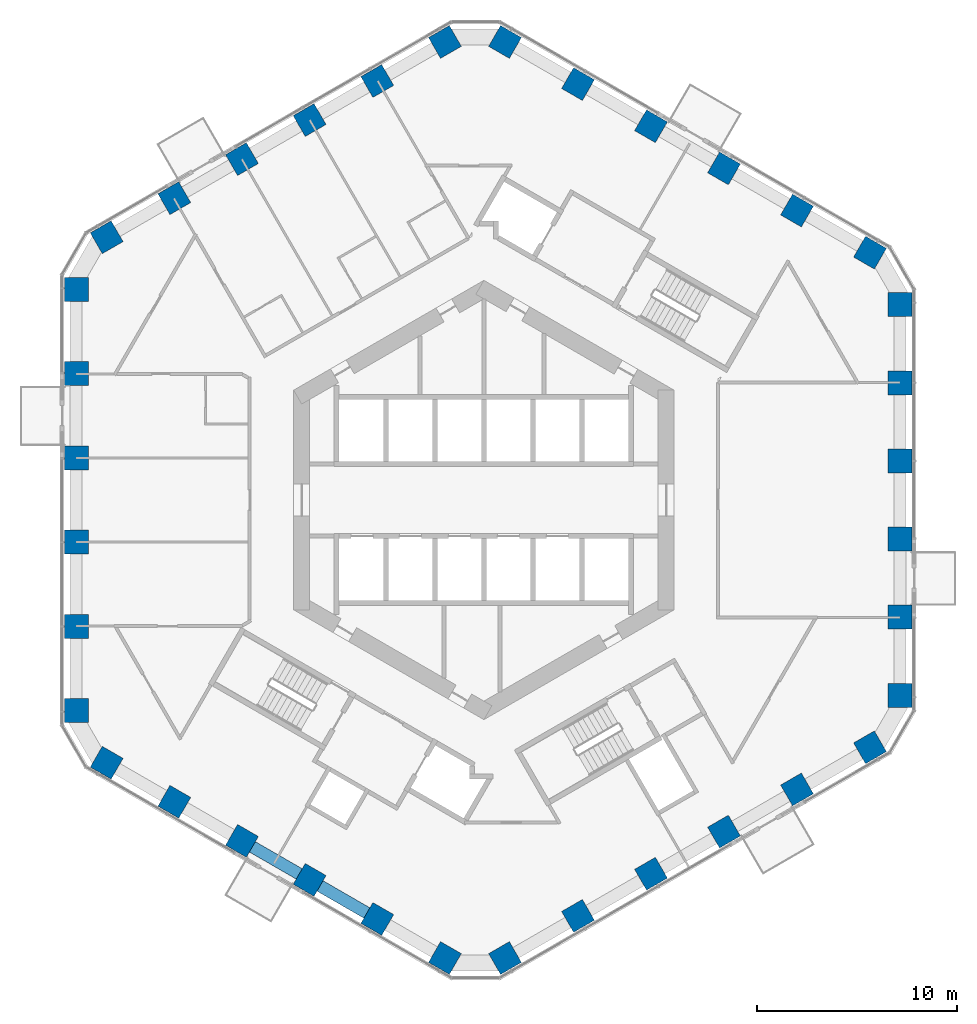
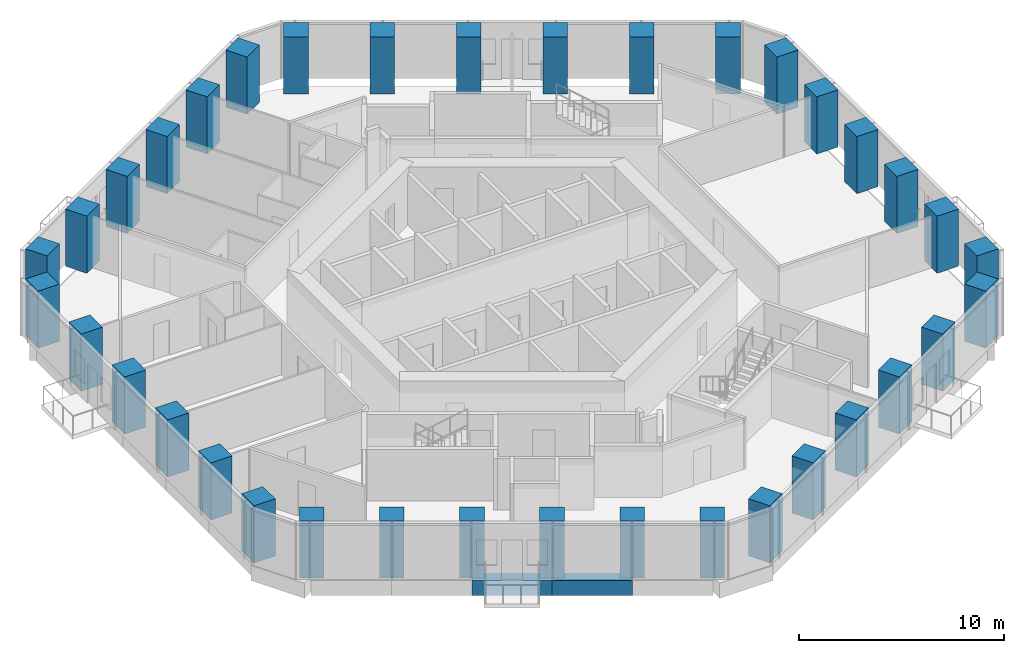
# One storey, part 1 of 20: 36 columns, 2 beams.
"""IFC4 building model written with IfcOpenShell, lengths in metres."""

import ifcopenshell
import ifcopenshell.guid

model = None  # the IFC model being written
_history = None  # IfcOwnerHistory: only IFC2X3 demands one
_inside = {}  # id of a spatial element -> (the spatial element, [elements in it])
_under = {}  # id of a project, library or spatial element -> (it, [spatial elements below it])
_declared = {}  # id of a project -> (the project, [libraries it declares])
_typed = {}  # id of a type object -> (the type object, [elements of that type])
_made_of = {}  # id of a material, layer set ... -> (it, [elements and type objects made of it])


def new_model(schema):
    """Start an empty IFC model of exactly this schema.

    Asked for "IFC4X3", IfcOpenShell would pick the latest addendum, in which some entities
    have other attributes; the version numbers below select the first issue.
    IFC2X3 requires an IfcOwnerHistory on every rooted entity: one is made here for all.
    """
    global model, _history
    if schema == "IFC4X3":
        model = ifcopenshell.file(schema_version=(4, 3, 0, 0))
    else:
        model = ifcopenshell.file(schema=schema)
    _inside.clear()
    _under.clear()
    _declared.clear()
    _typed.clear()
    _made_of.clear()
    _history = None
    if model.schema == "IFC2X3":
        org = make("IfcOrganization", Name="unknown")
        user = make(
            "IfcPersonAndOrganization",
            ThePerson=make("IfcPerson", FamilyName="unknown"),
            TheOrganization=org,
        )
        app = make(
            "IfcApplication",
            ApplicationDeveloper=org,
            Version="unknown",
            ApplicationFullName="unknown",
            ApplicationIdentifier="unknown",
        )
        _history = make(
            "IfcOwnerHistory",
            OwningUser=user,
            OwningApplication=app,
            ChangeAction="ADDED",
            CreationDate=0,
        )
    return model


def make(cls, **values):
    """One entity of the class cls with the attributes given. An attribute that is None is left unset."""
    return model.create_entity(
        cls, **{name: value for name, value in values.items() if value is not None}
    )


def rooted(cls, **values):
    """An entity with a GlobalId (a new one), such as an element, a storey or a relation."""
    return make(cls, GlobalId=ifcopenshell.guid.new(), OwnerHistory=_history, **values)


def si_unit(unit_type, name, prefix=None):
    """IfcSIUnit, for example si_unit("LENGTHUNIT", "METRE", prefix="MILLI")."""
    return make("IfcSIUnit", UnitType=unit_type, Prefix=prefix, Name=name)


def assignment(units):
    """IfcUnitAssignment: the units of a project."""
    return None if units is None else make("IfcUnitAssignment", Units=units)


def point(xyz):
    """IfcCartesianPoint."""
    return None if xyz is None else make("IfcCartesianPoint", Coordinates=xyz)


def direction(xyz):
    """IfcDirection."""
    return None if xyz is None else make("IfcDirection", DirectionRatios=xyz)


def frame(location, z_axis=None, x_axis=None):
    """IfcAxis2Placement3D, a coordinate frame: its origin and axes. An axis left out is left unset."""
    return make(
        "IfcAxis2Placement3D",
        Location=point(location),
        Axis=direction(z_axis),
        RefDirection=direction(x_axis),
    )


def frame_2d(location, x_axis=None):
    """IfcAxis2Placement2D, a coordinate frame in the plane: its origin and x axis."""
    return make(
        "IfcAxis2Placement2D", Location=point(location), RefDirection=direction(x_axis)
    )


def origin():
    """The frame at (0, 0, 0) with its axes left unset."""
    return frame((0.0, 0.0, 0.0))


def origin_2d():
    """The frame at (0, 0) in the plane with its x axis left unset."""
    return frame_2d((0.0, 0.0))


def place(relative_to, where):
    """IfcLocalPlacement: puts the frame where relative to a parent placement (None: the world)."""
    return make(
        "IfcLocalPlacement", PlacementRelTo=relative_to, RelativePlacement=where
    )


def context(
    kind, dimensions, precision=None, world=None, true_north=None, identifier=None
):
    """IfcGeometricRepresentationContext, for example the 3D "Model" context."""
    return make(
        "IfcGeometricRepresentationContext",
        ContextIdentifier=identifier,
        ContextType=kind,
        CoordinateSpaceDimension=dimensions,
        Precision=precision,
        WorldCoordinateSystem=world,
        TrueNorth=true_north,
    )


def subcontext(parent, identifier, kind, view, scale=None):
    """IfcGeometricRepresentationSubContext, for example "Body" below "Model"."""
    return make(
        "IfcGeometricRepresentationSubContext",
        ContextIdentifier=identifier,
        ContextType=kind,
        ParentContext=parent,
        TargetScale=scale,
        TargetView=view,
    )


def project(units=None, contexts=None):
    """IfcProject with its units and contexts."""
    return rooted(
        "IfcProject",
        Name="project",
        RepresentationContexts=contexts,
        UnitsInContext=assignment(units),
    )


def spatial(cls, under=None, at=None, **own):
    """A site, building, storey or space (cls), placed at a placement, below another one or the project."""
    s = rooted(cls, ObjectPlacement=at, **own)
    if under is not None:
        _under.setdefault(under.id(), (under, []))[1].append(s)
    return s


def profile(cls, at=None, kind="AREA", **sizes):
    """A parametric profile (cls). Its sizes go by their IFC names, for example OverallWidth=200.0."""
    return make(cls, ProfileType=kind, Position=at, **sizes)


def rectangle(**sizes):
    """IfcRectangleProfileDef."""
    return profile("IfcRectangleProfileDef", **sizes)


def extrude(swept, where, along, depth):
    """IfcExtrudedAreaSolid: the profile swept, set in the frame where, extruded along a direction by depth."""
    return make(
        "IfcExtrudedAreaSolid",
        SweptArea=swept,
        Position=where,
        ExtrudedDirection=direction(along),
        Depth=depth,
    )


def shape(context_of_items, identifier, shape_type, items):
    """IfcShapeRepresentation: the items that make up one representation, for example the "Body"."""
    return make(
        "IfcShapeRepresentation",
        ContextOfItems=context_of_items,
        RepresentationIdentifier=identifier,
        RepresentationType=shape_type,
        Items=items,
    )


def material(Name=None, Category=None):
    """IfcMaterial."""
    return make("IfcMaterial", Name=Name, Category=Category)


def material_profile(
    of_material, cross_section, Name=None, Category=None, Priority=None
):
    """IfcMaterialProfile: a cross section and its material."""
    return make(
        "IfcMaterialProfile",
        Name=Name,
        Material=of_material,
        Profile=cross_section,
        Priority=Priority,
        Category=Category,
    )


def profile_set(profiles, Name=None, composite=None):
    """IfcMaterialProfileSet."""
    return make(
        "IfcMaterialProfileSet",
        Name=Name,
        MaterialProfiles=profiles,
        CompositeProfile=composite,
    )


def made_of(thing, what):
    """Note that an element or type object is made of a material, layer set ...; save() writes the relation."""
    if what is not None:
        _made_of.setdefault(what.id(), (what, []))[1].append(thing)
    return thing


def type_object(cls, material=None, **own):
    """A type object (cls), such as IfcWallType, which elements share."""
    return made_of(rooted(cls, **own), material)


def element(
    cls,
    number,
    at=None,
    inside=None,
    cuts=None,
    type_object=None,
    material=None,
    context=None,
    identifier="Body",
    shape_type=None,
    held_by="IfcProductDefinitionShape",
    body=None,
    shapes=None,
    **own,
):
    """One element of the class cls, such as IfcWall. Its Tag is "e" and its number.

    at: its placement. inside: the storey or other place that contains it. cuts: it is an
    opening in that element (IfcRelVoidsElement). A single representation is given by context,
    identifier, shape_type and body (its items); several are given by shapes. held_by: the class
    of the entity that holds the representations. save() writes the other relations.
    """
    e = rooted(cls, Tag="e%d" % number, ObjectPlacement=at, **own)
    if body is not None:
        shapes = [shape(context, identifier, shape_type, body)]
    if shapes is not None:
        e.Representation = make(held_by, Representations=shapes)
    if inside is not None:
        _inside.setdefault(inside.id(), (inside, []))[1].append(e)
    if cuts is not None:
        rooted(
            "IfcRelVoidsElement", RelatingBuildingElement=cuts, RelatedOpeningElement=e
        )
    if type_object is not None:
        _typed.setdefault(type_object.id(), (type_object, []))[1].append(e)
    return made_of(e, material)


def aggregate(whole, parts):
    """IfcRelAggregates: a whole, such as a stair, and the parts it consists of."""
    return rooted("IfcRelAggregates", RelatingObject=whole, RelatedObjects=parts)


def save(model, path):
    """Write the relations noted so far, then the file.

    IfcRelAggregates (storeys below a building ...), IfcRelContainedInSpatialStructure (elements
    in a storey), IfcRelDefinesByType, IfcRelAssociatesMaterial and IfcRelDeclares: one each for
    every whole, place, type object, material and project.
    """
    for whole, parts in _under.values():
        aggregate(whole, parts)
    for where, things in _inside.values():
        rooted(
            "IfcRelContainedInSpatialStructure",
            RelatedElements=things,
            RelatingStructure=where,
        )
    for kind, things in _typed.values():
        rooted("IfcRelDefinesByType", RelatedObjects=things, RelatingType=kind)
    for what, things in _made_of.values():
        rooted("IfcRelAssociatesMaterial", RelatedObjects=things, RelatingMaterial=what)
    for by, libraries in _declared.values():
        rooted("IfcRelDeclares", RelatingContext=by, RelatedDefinitions=libraries)
    model.write(path)


model = new_model("IFC4")

# Units and contexts
model_context = context("Model", 3, precision=1e-05, world=origin(), true_north=direction((0.0, 1.0)))
body_context = subcontext(model_context, "Body", "Model", "MODEL_VIEW")
ifc_project = project(units=[si_unit("LENGTHUNIT", "METRE"), si_unit("AREAUNIT", "SQUARE_METRE"), si_unit("VOLUMEUNIT", "CUBIC_METRE"), si_unit("PLANEANGLEUNIT", "RADIAN"), si_unit("MASSUNIT", "GRAM", prefix="KILO")], contexts=[model_context])

# Site, building, storey
site_placement = place(None, origin())
site = spatial("IfcSite", under=ifc_project, at=site_placement, CompositionType="ELEMENT")
building_placement = place(site_placement, origin())
building = spatial("IfcBuilding", under=site, at=building_placement, Name="Ayvan Gate Tower", CompositionType="ELEMENT")
storey_placement = place(building_placement, frame((0.0, 0.0, 49.300048828125)))
storey = spatial("IfcBuildingStorey", under=building, at=storey_placement, Name="L12", CompositionType="ELEMENT", Elevation=49.300048828125)

# Columns
ifc_material_1 = material(Name="Concrete C70/85", Category="concrete")
ifc_material_profile_1 = material_profile(ifc_material_1, rectangle(XDim=1.199951171875, YDim=1.199951171875, at=origin_2d()), Name="RC 1200x1200")
ifc_profile_set_1 = profile_set([ifc_material_profile_1], Name="Concrete C70/85")
column_type = type_object("IfcColumnType", Name="Tube column RC 1200x1200 C70/85", PredefinedType="COLUMN", material=ifc_profile_set_1)
for number, where, z_axis, x_axis, name in (
    (1, (20.78466796875, -9.75390625, 0.0), (0.0, 0.0, 1.0), (1.0, 0.0, 0.0), "C-T0-0-L12"),
    (2, (20.78466796875, -5.852294921875, 0.0), (0.0, 0.0, 1.0), (1.0, 0.0, 0.0), "C-T0-1-L12"),
    (3, (20.78466796875, -1.95068359375, 0.0), (0.0, 0.0, 1.0), (1.0, 0.0, 0.0), "C-T0-2-L12"),
    (4, (20.78466796875, 1.95068359375, 0.0), (0.0, 0.0, 1.0), (1.0, 0.0, 0.0), "C-T0-3-L12"),
    (5, (20.78466796875, 5.852294921875, 0.0), (0.0, 0.0, 1.0), (1.0, 0.0, 0.0), "C-T0-4-L12"),
    (6, (20.78466796875, 9.75390625, 0.0), (0.0, 0.0, 1.0), (1.0, 0.0, 0.0), "C-T0-5-L12"),
    (7, (19.28466796875, 12.35205078125, 0.0), (0.0, 0.0, 1.0), (0.5, 0.866025403784, 0.0), "C-T1-0-L12"),
    (8, (15.638671875, 14.45703125, 0.0), (0.0, 0.0, 1.0), (0.5, 0.866025403784, 0.0), "C-T1-1-L12"),
    (9, (11.99267578125, 16.56201171875, 0.0), (0.0, 0.0, 1.0), (0.5, 0.866025403784, 0.0), "C-T1-2-L12"),
    (10, (8.3466796875, 18.6669921875, 0.0), (0.0, 0.0, 1.0), (0.5, 0.866025403784, 0.0), "C-T1-3-L12"),
    (11, (4.700927734375, 20.77197265625, 0.0), (0.0, 0.0, 1.0), (0.5, 0.866025403784, 0.0), "C-T1-4-L12"),
    (12, (1.054931640625, 22.876953125, 0.0), (0.0, 0.0, 1.0), (0.5, 0.866025403784, 0.0), "C-T1-5-L12"),
    (13, (-1.945068359375, 22.876953125, 0.0), (0.0, 0.0, 1.0), (-0.5, 0.866025403784, 0.0), "C-T2-0-L12"),
    (14, (-5.323974609375, 20.92626953125, 0.0), (0.0, 0.0, 1.0), (-0.5, 0.866025403784, 0.0), "C-T2-1-L12"),
    (15, (-8.702880859375, 18.975341796875, 0.0), (0.0, 0.0, 1.0), (-0.5, 0.866025403784, 0.0), "C-T2-2-L12"),
    (16, (-12.081787109375, 17.024658203125, 0.0), (0.0, 0.0, 1.0), (-0.5, 0.866025403784, 0.0), "C-T2-3-L12"),
    (17, (-15.460693359375, 15.07373046875, 0.0), (0.0, 0.0, 1.0), (-0.5, 0.866025403784, 0.0), "C-T2-4-L12"),
    (18, (-18.839599609375, 13.123046875, 0.0), (0.0, 0.0, 1.0), (-0.5, 0.866025403784, 0.0), "C-T2-5-L12"),
    (19, (-20.339599609375, 10.52490234375, 0.0), (0.0, 0.0, 1.0), (-1.0, 0.0, 0.0), "C-T3-0-L12"),
    (20, (-20.339599609375, 6.31494140625, 0.0), (0.0, 0.0, 1.0), (-1.0, 0.0, 0.0), "C-T3-1-L12"),
    (21, (-20.339599609375, 2.10498046875, 0.0), (0.0, 0.0, 1.0), (-1.0, 0.0, 0.0), "C-T3-2-L12"),
    (22, (-20.339599609375, -2.10498046875, 0.0), (0.0, 0.0, 1.0), (-1.0, 0.0, 0.0), "C-T3-3-L12"),
    (23, (-20.339599609375, -6.31494140625, 0.0), (0.0, 0.0, 1.0), (-1.0, 0.0, 0.0), "C-T3-4-L12"),
    (24, (-20.339599609375, -10.52490234375, 0.0), (0.0, 0.0, 1.0), (-1.0, 0.0, 0.0), "C-T3-5-L12"),
    (25, (-18.839599609375, -13.123046875, 0.0), (0.0, 0.0, 1.0), (-0.5, -0.866025403784, 0.0), "C-T4-0-L12"),
    (26, (-15.460693359375, -15.07373046875, 0.0), (0.0, 0.0, 1.0), (-0.5, -0.866025403784, 0.0), "C-T4-1-L12"),
    (27, (-12.081787109375, -17.024658203125, 0.0), (0.0, 0.0, 1.0), (-0.5, -0.866025403784, 0.0), "C-T4-2-L12"),
    (28, (-8.702880859375, -18.975341796875, 0.0), (0.0, 0.0, 1.0), (-0.5, -0.866025403784, 0.0), "C-T4-3-L12"),
    (29, (-5.323974609375, -20.92626953125, 0.0), (0.0, 0.0, 1.0), (-0.5, -0.866025403784, 0.0), "C-T4-4-L12"),
    (30, (-1.945068359375, -22.876953125, 0.0), (0.0, 0.0, 1.0), (-0.5, -0.866025403784, 0.0), "C-T4-5-L12"),
    (31, (1.054931640625, -22.876953125, 0.0), (0.0, 0.0, 1.0), (0.5, -0.866025403784, 0.0), "C-T5-0-L12"),
    (32, (4.700927734375, -20.77197265625, 0.0), (0.0, 0.0, 1.0), (0.5, -0.866025403784, 0.0), "C-T5-1-L12"),
    (33, (8.3466796875, -18.6669921875, 0.0), (0.0, 0.0, 1.0), (0.5, -0.866025403784, 0.0), "C-T5-2-L12"),
    (34, (11.99267578125, -16.56201171875, 0.0), (0.0, 0.0, 1.0), (0.5, -0.866025403784, 0.0), "C-T5-3-L12"),
    (35, (15.638671875, -14.45703125, 0.0), (0.0, 0.0, 1.0), (0.5, -0.866025403784, 0.0), "C-T5-4-L12"),
    (36, (19.28466796875, -12.35205078125, 0.0), (0.0, 0.0, 1.0), (0.5, -0.866025403784, 0.0), "C-T5-5-L12"),
):
    element("IfcColumn", number, at=place(storey_placement, frame(where, z_axis=z_axis, x_axis=x_axis)), inside=storey, type_object=column_type, Name=name, PredefinedType="COLUMN", context=body_context, shape_type="SweptSolid", body=[
        extrude(rectangle(XDim=1.199951171875, YDim=1.199951171875, at=origin_2d()), origin(), (0.0, 0.0, 1.0), 3.39990234375),
    ])

# Beams
ifc_material_2 = material(Name="Concrete C40/50", Category="concrete")
ifc_material_profile_2 = material_profile(ifc_material_2, rectangle(XDim=0.60009765625, YDim=0.89990234375, at=origin_2d()), Name="RC 600x900")
ifc_profile_set_2 = profile_set([ifc_material_profile_2], Name="Concrete C40/50")
beam_type = type_object("IfcBeamType", Name="Spandrel beam RC 600x900 C40/50", PredefinedType="BEAM", material=ifc_profile_set_2)
beam_1_placement = place(storey_placement, frame((-12.090576171875, -17.01953125, -0.800048828125), z_axis=(0.866028016946, -0.499995473844, 0.0), x_axis=(0.499995473844, 0.866028016946, 0.0)))
element("IfcBeam", 37, at=beam_1_placement, inside=storey, type_object=beam_type, Name="SB-L12-27", PredefinedType="BEAM", context=body_context, shape_type="SweptSolid", body=[
    extrude(rectangle(XDim=0.60009765625, YDim=0.89990234375, at=origin_2d()), origin(), (0.0, 0.0, 1.0), 3.921875),
])
beam_2_placement = place(storey_placement, frame((-8.694091796875, -18.98046875, -0.800048828125), z_axis=(0.866012453361, -0.50002243012, 0.0), x_axis=(0.50002243012, 0.866012453361, 0.0)))
element("IfcBeam", 38, at=beam_2_placement, inside=storey, type_object=beam_type, Name="SB-L12-28", PredefinedType="BEAM", context=body_context, shape_type="SweptSolid", body=[
    extrude(rectangle(XDim=0.60009765625, YDim=0.89990234375, at=origin_2d()), origin(), (0.0, 0.0, 1.0), 3.921630859375),
])

save(model, "model.ifc")
